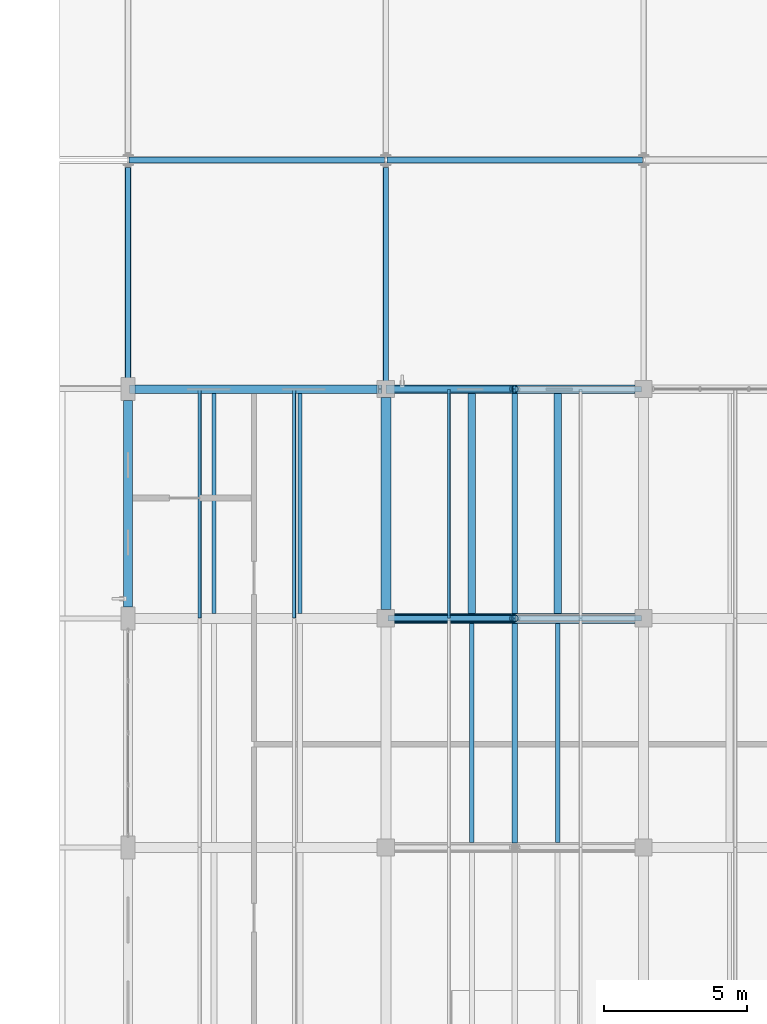
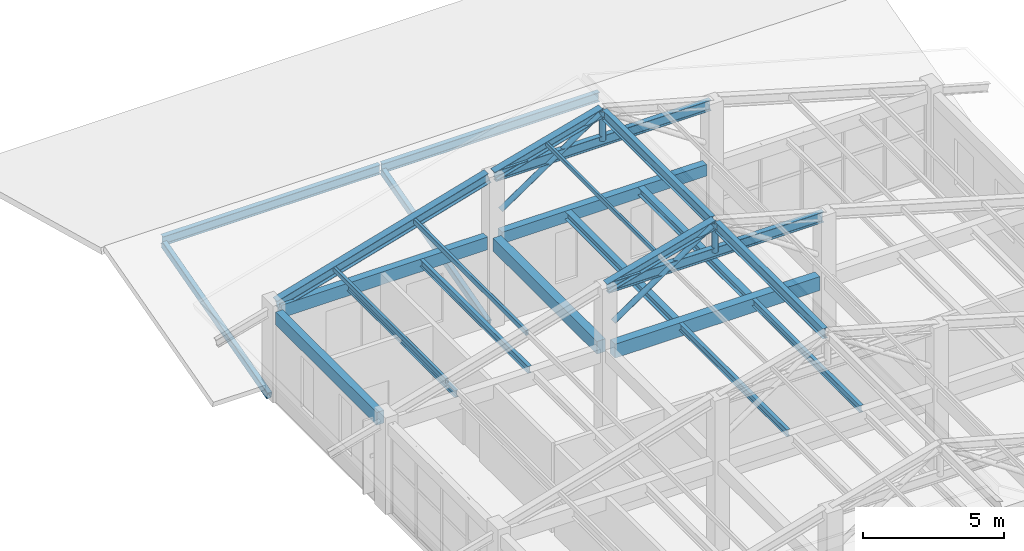
# One storey, part 26 of 58: 18 beams, 11 members.
"""IFC4 building model written with IfcOpenShell, lengths in metres."""

from ifc_helpers import new_model, si_unit, derived_unit, direction, frame, origin, origin_2d, place, context, subcontext, project, spatial, rectangle, hollow_rectangle, hollow_circle, i_section, extrude, material, material_profile, profile_set, type_object, element, save


model = new_model("IFC4")

# Units and contexts
model_context = context("Model", 3, precision=1e-05, world=origin(), true_north=direction((0.0, 1.0)))
body_context = subcontext(model_context, "Body", "Model", "MODEL_VIEW")
ifc_project = project(units=[si_unit("LENGTHUNIT", "METRE"), si_unit("AREAUNIT", "SQUARE_METRE"), si_unit("VOLUMEUNIT", "CUBIC_METRE"), si_unit("PLANEANGLEUNIT", "RADIAN"), si_unit("MASSUNIT", "GRAM", prefix="KILO"), derived_unit("THERMALTRANSMITTANCEUNIT", [(si_unit("MASSUNIT", "GRAM", prefix="KILO"), 1), (si_unit("TIMEUNIT", "SECOND"), -3), (si_unit("THERMODYNAMICTEMPERATUREUNIT", "KELVIN"), -1)])], contexts=[model_context])

# Site, building, storey
site_placement = place(None, origin())
site = spatial("IfcSite", under=ifc_project, at=site_placement, CompositionType="ELEMENT")
building_placement = place(site_placement, origin())
building = spatial("IfcBuilding", under=site, at=building_placement, Name="Zhenchuan Archway Interchange", CompositionType="ELEMENT")
storey_placement = place(building_placement, frame((0.0, 0.0, 22.800048828125)))
storey = spatial("IfcBuildingStorey", under=building, at=storey_placement, Name="L05", CompositionType="ELEMENT", Elevation=22.800048828125)

# Beams
ifc_material_1 = material(Name="Concrete C40", Category="concrete")
ifc_material_profile_1 = material_profile(ifc_material_1, rectangle(XDim=0.35009765625, YDim=0.550048828125, at=origin_2d()), Name="RC 350x550")
ifc_profile_set_1 = profile_set([ifc_material_profile_1], Name="Concrete C40")
beam_type_1 = type_object("IfcBeamType", Name="BM_RC_350x550", PredefinedType="BEAM", material=ifc_profile_set_1)
beam_1_placement = place(storey_placement, frame((153.0, 80.300048828125, 3.64501953125), z_axis=(0.0, 1.0, 0.0), x_axis=(-1.0, 0.0, 0.0)))
element("IfcBeam", 1, at=beam_1_placement, inside=storey, type_object=beam_type_1, Name="Beam 18:L-M (L05)", PredefinedType="BEAM", context=body_context, shape_type="SweptSolid", body=[
    extrude(rectangle(XDim=0.35009765625, YDim=0.550048828125, at=origin_2d()), origin(), (0.0, 0.0, 1.0), 7.39990234375),
])
ifc_material_profile_2 = material_profile(ifc_material_1, rectangle(XDim=0.35009765625, YDim=0.60009765625, at=origin_2d()), Name="RC 350x600")
ifc_profile_set_2 = profile_set([ifc_material_profile_2], Name="Concrete C40")
beam_type_2 = type_object("IfcBeamType", Name="BM_RC_350x600", PredefinedType="BEAM", material=ifc_profile_set_2)
beam_2_placement = place(storey_placement, frame((153.300048828125, 80.0, 3.619873046875), z_axis=(1.0, 0.0, 0.0), x_axis=(0.0, 1.0, 0.0)))
element("IfcBeam", 2, at=beam_2_placement, inside=storey, type_object=beam_type_2, Name="Beam L:18-19 (L05)", PredefinedType="BEAM", context=body_context, shape_type="SweptSolid", body=[
    extrude(rectangle(XDim=0.35009765625, YDim=0.60009765625, at=origin_2d()), origin(), (0.0, 0.0, 1.0), 8.39990234375),
])
ifc_material_2 = material(Name="Steel Q355", Category="steel")
ifc_material_profile_3 = material_profile(ifc_material_2, i_section(OverallWidth=0.199951171875, OverallDepth=0.39990234375, WebThickness=0.008056640625, FlangeThickness=0.012939453125, FilletRadius=0.01611328125, at=origin_2d()), Name="HN 400x200")
ifc_profile_set_3 = profile_set([ifc_material_profile_3], Name="Steel Q355")
beam_type_3 = type_object("IfcBeamType", Name="BM_STL_GABLE_HN400", PredefinedType="BEAM", material=ifc_profile_set_3)
for number, where, z_axis, x_axis, name in (
    (3, (144.0400390625, 96.0, 1.8798828125), (1.0, 0.0, 0.0), (0.0, 1.0, 0.0), "East bar N ridge beam 1"),
    (4, (153.0400390625, 96.0, 1.8798828125), (1.0, 0.0, 0.0), (0.0, 1.0, 0.0), "East bar N ridge beam 2"),
):
    element("IfcBeam", number, at=place(storey_placement, frame(where, z_axis=z_axis, x_axis=x_axis)), inside=storey, type_object=beam_type_3, Name=name, PredefinedType="BEAM", context=body_context, shape_type="SweptSolid", body=[
        extrude(i_section(OverallWidth=0.199951171875, OverallDepth=0.39990234375, WebThickness=0.008056640625, FlangeThickness=0.012939453125, FilletRadius=0.01611328125, at=origin_2d()), origin(), (0.0, 0.0, 1.0), 8.919921875),
    ])
ifc_material_profile_4 = material_profile(ifc_material_2, i_section(OverallWidth=0.300048828125, OverallDepth=0.389892578125, WebThickness=0.010009765625, FlangeThickness=0.01611328125, FilletRadius=0.02001953125, at=origin_2d()), Name="HM 390x300")
ifc_profile_set_4 = profile_set([ifc_material_profile_4], Name="Steel Q355")
beam_type_4 = type_object("IfcBeamType", Name="BM_STL_HM390", PredefinedType="BEAM", material=ifc_profile_set_4)
for number, where, z_axis, x_axis, name in (
    (5, (153.050048828125, 80.0, 6.419921875), (0.964108539649, 0.0, 0.265508425055), (0.0, 1.0, 0.0), "ROOF TRUSS command wing T8 west apex rafter"),
    (6, (153.050048828125, 88.0, 6.419921875), (0.964108539649, 0.0, 0.265508425055), (0.0, 1.0, 0.0), "ROOF TRUSS command wing T9 west apex rafter"),
):
    element("IfcBeam", number, at=place(storey_placement, frame(where, z_axis=z_axis, x_axis=x_axis)), inside=storey, type_object=beam_type_4, Name=name, PredefinedType="BEAM", context=body_context, shape_type="SweptSolid", body=[
        extrude(i_section(OverallWidth=0.300048828125, OverallDepth=0.389892578125, WebThickness=0.010009765625, FlangeThickness=0.01611328125, FilletRadius=0.02001953125, at=origin_2d()), origin(), (0.0, 0.0, 1.0), 4.5947265625),
    ])
ifc_material_profile_5 = material_profile(ifc_material_2, i_section(OverallWidth=0.300048828125, OverallDepth=0.43994140625, WebThickness=0.010986328125, FlangeThickness=0.01806640625, FilletRadius=0.02197265625, at=origin_2d()), Name="HM 440x300")
ifc_profile_set_5 = profile_set([ifc_material_profile_5], Name="Steel Q355")
beam_type_5 = type_object("IfcBeamType", Name="BM_STL_HM440", PredefinedType="BEAM", material=ifc_profile_set_5)
beam_3_placement = place(storey_placement, frame((144.1201171875, 88.0, 3.93994140625), z_axis=(0.960641143949, 0.0, 0.277792355102), x_axis=(0.0, 1.0, 0.0)))
element("IfcBeam", 7, at=beam_3_placement, inside=storey, type_object=beam_type_5, Name="ROOF TRUSS command wing T9 west lower rafter", PredefinedType="BEAM", context=body_context, shape_type="SweptSolid", body=[
    extrude(i_section(OverallWidth=0.300048828125, OverallDepth=0.43994140625, WebThickness=0.010986328125, FlangeThickness=0.01806640625, FilletRadius=0.02197265625, at=origin_2d()), origin(), (0.0, 0.0, 1.0), 9.03564453125),
])
ifc_material_profile_6 = material_profile(ifc_material_2, i_section(OverallWidth=0.199951171875, OverallDepth=0.449951171875, WebThickness=0.009033203125, FlangeThickness=0.013916015625, FilletRadius=0.01806640625, at=origin_2d()), Name="HN 450x200")
ifc_profile_set_6 = profile_set([ifc_material_profile_6], Name="Steel Q355")
beam_type_6 = type_object("IfcBeamType", Name="BM_STL_HN450", PredefinedType="BEAM", material=ifc_profile_set_6)
for number, where, z_axis, x_axis, name in (
    (8, (157.5, 72.159912109375, 7.579833984375), (0.0, 1.0, 0.0), (-1.0, 0.0, 0.0), "Command wing ridge girder 7"),
    (9, (157.5, 80.159912109375, 7.579833984375), (0.0, 1.0, 0.0), (-1.0, 0.0, 0.0), "Command wing ridge girder 8"),
):
    element("IfcBeam", number, at=place(storey_placement, frame(where, z_axis=z_axis, x_axis=x_axis)), inside=storey, type_object=beam_type_6, Name=name, PredefinedType="BEAM", context=body_context, shape_type="SweptSolid", body=[
        extrude(i_section(OverallWidth=0.199951171875, OverallDepth=0.449951171875, WebThickness=0.009033203125, FlangeThickness=0.013916015625, FilletRadius=0.01806640625, at=origin_2d()), origin(), (0.0, 0.0, 1.0), 7.68017578125),
    ])
ifc_material_profile_7 = material_profile(ifc_material_2, i_section(OverallWidth=0.25, OverallDepth=0.340087890625, WebThickness=0.009033203125, FlangeThickness=0.013916015625, FilletRadius=0.01806640625, at=origin_2d()), Name="HM 340x250")
ifc_profile_set_7 = profile_set([ifc_material_profile_7], Name="Steel Q355")
beam_type_7 = type_object("IfcBeamType", Name="JST_STL_HM340", PredefinedType="JOIST", material=ifc_profile_set_7)
for number, where, z_axis, x_axis, name in (
    (10, (156.0, 80.175048828125, 3.75), (0.0, 1.0, 0.0), (-1.0, 0.0, 0.0), "Secondary joist 18-19/L-M #1 (L05)"),
    (11, (159.0, 80.175048828125, 3.75), (0.0, 1.0, 0.0), (-1.0, 0.0, 0.0), "Secondary joist 18-19/L-M #2 (L05)"),
):
    element("IfcBeam", number, at=place(storey_placement, frame(where, z_axis=z_axis, x_axis=x_axis)), inside=storey, type_object=beam_type_7, Name=name, PredefinedType="JOIST", context=body_context, shape_type="SweptSolid", body=[
        extrude(i_section(OverallWidth=0.25, OverallDepth=0.340087890625, WebThickness=0.009033203125, FlangeThickness=0.013916015625, FilletRadius=0.01806640625, at=origin_2d()), origin(), (0.0, 0.0, 1.0), 7.675048828125),
    ])
ifc_material_profile_8 = material_profile(ifc_material_2, i_section(OverallWidth=0.14990234375, OverallDepth=0.300048828125, WebThickness=0.006591796875, FlangeThickness=0.009033203125, FilletRadius=0.012939453125, at=origin_2d()), Name="HN 300x150")
ifc_profile_set_8 = profile_set([ifc_material_profile_8], Name="Steel Q355")
beam_type_8 = type_object("IfcBeamType", Name="JST_STL_HN300", PredefinedType="JOIST", material=ifc_profile_set_8)
for number, where, z_axis, x_axis, name in (
    (12, (147.0, 80.175048828125, 3.77001953125), (0.0, 1.0, 0.0), (-1.0, 0.0, 0.0), "Secondary joist 17-18/L-M #1 (L05)"),
    (13, (150.0, 80.175048828125, 3.77001953125), (0.0, 1.0, 0.0), (-1.0, 0.0, 0.0), "Secondary joist 17-18/L-M #2 (L05)"),
):
    element("IfcBeam", number, at=place(storey_placement, frame(where, z_axis=z_axis, x_axis=x_axis)), inside=storey, type_object=beam_type_8, Name=name, PredefinedType="JOIST", context=body_context, shape_type="SweptSolid", body=[
        extrude(i_section(OverallWidth=0.14990234375, OverallDepth=0.300048828125, WebThickness=0.006591796875, FlangeThickness=0.009033203125, FilletRadius=0.012939453125, at=origin_2d()), origin(), (0.0, 0.0, 1.0), 7.675048828125),
    ])
for number, where, z_axis, x_axis, name in (
    (14, (156.0, 72.175048828125, 3.77001953125), (0.0, 1.0, 0.0), (-1.0, 0.0, 0.0), "Secondary joist 18-19/K-L #1 (L05)"),
    (15, (159.0, 72.175048828125, 3.77001953125), (0.0, 1.0, 0.0), (-1.0, 0.0, 0.0), "Secondary joist 18-19/K-L #2 (L05)"),
):
    element("IfcBeam", number, at=place(storey_placement, frame(where, z_axis=z_axis, x_axis=x_axis)), inside=storey, type_object=beam_type_8, Name=name, PredefinedType="JOIST", context=body_context, shape_type="SweptSolid", body=[
        extrude(i_section(OverallWidth=0.14990234375, OverallDepth=0.300048828125, WebThickness=0.006591796875, FlangeThickness=0.009033203125, FilletRadius=0.012939453125, at=origin_2d()), origin(), (0.0, 0.0, 1.0), 7.64990234375),
    ])

# Members
ifc_material_profile_9 = material_profile(ifc_material_2, i_section(OverallWidth=0.199951171875, OverallDepth=0.449951171875, WebThickness=0.009033203125, FlangeThickness=0.013916015625, FilletRadius=0.01806640625, at=origin_2d()), Name="HN 450x200")
ifc_profile_set_9 = profile_set([ifc_material_profile_9], Name="Steel Q355")
member_type_1 = type_object("IfcMemberType", Name="MB_CHD_HN450", PredefinedType="CHORD", material=ifc_profile_set_9)
for number, where, z_axis, x_axis, name in (
    (16, (153.080078125, 80.0, 6.3798828125), (1.0, 0.0, 0.0), (0.0, 1.0, 0.0), "ROOF TRUSS command wing T8 ridge collar tie"),
    (17, (153.080078125, 88.0, 6.3798828125), (1.0, 0.0, 0.0), (0.0, 1.0, 0.0), "ROOF TRUSS command wing T9 ridge collar tie"),
):
    element("IfcMember", number, at=place(storey_placement, frame(where, z_axis=z_axis, x_axis=x_axis)), inside=storey, type_object=member_type_1, Name=name, PredefinedType="CHORD", context=body_context, shape_type="SweptSolid", body=[
        extrude(i_section(OverallWidth=0.199951171875, OverallDepth=0.449951171875, WebThickness=0.009033203125, FlangeThickness=0.013916015625, FilletRadius=0.01806640625, at=origin_2d()), origin(), (0.0, 0.0, 1.0), 8.83984375),
    ])
ifc_material_profile_10 = material_profile(ifc_material_2, hollow_circle(Radius=0.109619140625, WallThickness=0.008056640625, at=origin_2d()), Name="CHS 219x8")
ifc_profile_set_10 = profile_set([ifc_material_profile_10], Name="Steel Q355")
member_type_2 = type_object("IfcMemberType", Name="MB_CHS219", PredefinedType="BRACE", material=ifc_profile_set_10)
for number, where, z_axis, x_axis, name in (
    (18, (153.320068359375, 80.0, 4.800048828125), (0.827937334182, 0.0, 0.560820622541), (0.0, 1.0, 0.0), "ROOF TRUSS command wing T8 west apex diagonal"),
    (19, (153.320068359375, 88.0, 4.800048828125), (0.827937334182, 0.0, 0.560820622541), (0.0, 1.0, 0.0), "ROOF TRUSS command wing T9 west apex diagonal"),
):
    element("IfcMember", number, at=place(storey_placement, frame(where, z_axis=z_axis, x_axis=x_axis)), inside=storey, type_object=member_type_2, Name=name, PredefinedType="BRACE", context=body_context, shape_type="SweptSolid", body=[
        extrude(hollow_circle(Radius=0.109619140625, WallThickness=0.008056640625, at=origin_2d()), origin(), (0.0, 0.0, 1.0), 4.903564453125),
    ])
ifc_material_profile_11 = material_profile(ifc_material_2, hollow_circle(Radius=0.12255859375, WallThickness=0.010009765625, at=origin_2d()), Name="CHS 245x10")
ifc_profile_set_11 = profile_set([ifc_material_profile_11], Name="Steel Q355")
member_type_3 = type_object("IfcMemberType", Name="MB_CHS245", PredefinedType="BRACE", material=ifc_profile_set_11)
for number, where, z_axis, x_axis, name in (
    (20, (157.5, 80.0, 6.3798828125), (0.0, 0.0, 1.0), (1.0, 0.0, 0.0), "ROOF TRUSS command wing T8 apex king-post"),
    (21, (157.5, 88.0, 6.3798828125), (0.0, 0.0, 1.0), (1.0, 0.0, 0.0), "ROOF TRUSS command wing T9 apex king-post"),
):
    element("IfcMember", number, at=place(storey_placement, frame(where, z_axis=z_axis, x_axis=x_axis)), inside=storey, type_object=member_type_3, Name=name, PredefinedType="BRACE", context=body_context, shape_type="SweptSolid", body=[
        extrude(hollow_circle(Radius=0.12255859375, WallThickness=0.010009765625, at=origin_2d()), origin(), (0.0, 0.0, 1.0), 1.280029296875),
    ])
ifc_material_profile_12 = material_profile(ifc_material_2, hollow_rectangle(XDim=0.10009765625, YDim=0.179931640625, WallThickness=0.006103515625, InnerFilletRadius=0.006103515625, OuterFilletRadius=0.011962890625, at=origin_2d()), Name="RHS 180x100x6")
ifc_profile_set_12 = profile_set([ifc_material_profile_12], Name="Steel Q355")
member_type_4 = type_object("IfcMemberType", Name="MB_RHS180", PredefinedType="PURLIN", material=ifc_profile_set_12)
member_1_placement = place(storey_placement, frame((155.199951171875, 80.008056640625, 7.02001953125), z_axis=(0.0, 1.0, 0.0), x_axis=(-1.0, 0.0, 0.0)))
element("IfcMember", 22, at=member_1_placement, inside=storey, type_object=member_type_4, Name="Command wing roof purlin B8-P3", PredefinedType="PURLIN", context=body_context, shape_type="SweptSolid", body=[
    extrude(hollow_rectangle(XDim=0.10009765625, YDim=0.179931640625, WallThickness=0.006103515625, InnerFilletRadius=0.006103515625, OuterFilletRadius=0.011962890625, at=origin_2d()), origin(), (0.0, 0.0, 1.0), 7.98388671875),
])
ifc_material_profile_13 = material_profile(ifc_material_2, hollow_rectangle(XDim=0.1201171875, YDim=0.199951171875, WallThickness=0.008056640625, InnerFilletRadius=0.008056640625, OuterFilletRadius=0.01611328125, at=origin_2d()), Name="RHS 200x120x8")
ifc_profile_set_13 = profile_set([ifc_material_profile_13], Name="Steel Q355")
member_type_5 = type_object("IfcMemberType", Name="MB_RHS200", PredefinedType="PURLIN", material=ifc_profile_set_13)
member_2_placement = place(storey_placement, frame((146.5, 80.008056640625, 4.619873046875), z_axis=(0.0, 1.0, 0.0), x_axis=(-1.0, 0.0, 0.0)))
element("IfcMember", 23, at=member_2_placement, inside=storey, type_object=member_type_5, Name="Command wing roof purlin B8-P1", PredefinedType="PURLIN", context=body_context, shape_type="SweptSolid", body=[
    extrude(hollow_rectangle(XDim=0.1201171875, YDim=0.199951171875, WallThickness=0.008056640625, InnerFilletRadius=0.008056640625, OuterFilletRadius=0.01611328125, at=origin_2d()), origin(), (0.0, 0.0, 1.0), 7.98388671875),
])
ifc_material_profile_14 = material_profile(ifc_material_2, hollow_rectangle(XDim=0.1201171875, YDim=0.219970703125, WallThickness=0.008056640625, InnerFilletRadius=0.008056640625, OuterFilletRadius=0.01611328125, at=origin_2d()), Name="RHS 220x120x8")
ifc_profile_set_14 = profile_set([ifc_material_profile_14], Name="Steel Q355")
member_type_6 = type_object("IfcMemberType", Name="MB_RHS220", PredefinedType="PURLIN", material=ifc_profile_set_14)
member_3_placement = place(storey_placement, frame((149.800048828125, 80.008056640625, 5.5400390625), z_axis=(0.0, 1.0, 0.0), x_axis=(-1.0, 0.0, 0.0)))
element("IfcMember", 24, at=member_3_placement, inside=storey, type_object=member_type_6, Name="Command wing roof purlin B8-P2", PredefinedType="PURLIN", context=body_context, shape_type="SweptSolid", body=[
    extrude(hollow_rectangle(XDim=0.1201171875, YDim=0.219970703125, WallThickness=0.008056640625, InnerFilletRadius=0.008056640625, OuterFilletRadius=0.01611328125, at=origin_2d()), origin(), (0.0, 0.0, 1.0), 7.98388671875),
])
ifc_material_profile_15 = material_profile(ifc_material_2, hollow_rectangle(XDim=0.199951171875, YDim=0.300048828125, WallThickness=0.010009765625, InnerFilletRadius=0.010009765625, OuterFilletRadius=0.02001953125, at=origin_2d()), Name="RHS 300x200x10")
ifc_profile_set_15 = profile_set([ifc_material_profile_15], Name="Steel Q355")
member_type_7 = type_object("IfcMemberType", Name="MB_RHS300", PredefinedType="CHORD", material=ifc_profile_set_15)
for number, where, z_axis, x_axis, name in (
    (25, (144.0, 88.300048828125, -0.179931640625), (0.0, 0.964770361033, 0.263093425368), (-1.0, 0.0, 0.0), "East bar N rafter X144-1"),
    (26, (153.0, 88.300048828125, -0.179931640625), (0.0, 0.964770361033, 0.263093425368), (-1.0, 0.0, 0.0), "East bar N rafter X153-1"),
):
    element("IfcMember", number, at=place(storey_placement, frame(where, z_axis=z_axis, x_axis=x_axis)), inside=storey, type_object=member_type_7, Name=name, PredefinedType="CHORD", context=body_context, shape_type="SweptSolid", body=[
        extrude(hollow_rectangle(XDim=0.199951171875, YDim=0.300048828125, WallThickness=0.010009765625, InnerFilletRadius=0.010009765625, OuterFilletRadius=0.02001953125, at=origin_2d()), origin(), (0.0, 0.0, 1.0), 7.753173828125),
    ])

# Beams
ifc_material_profile_16 = material_profile(ifc_material_1, rectangle(XDim=0.300048828125, YDim=0.5, at=origin_2d()), Name="RC 300x500")
ifc_profile_set_16 = profile_set([ifc_material_profile_16], Name="Concrete C40")
beam_type_9 = type_object("IfcBeamType", Name="SP_RC_300x500", PredefinedType="SPANDREL", material=ifc_profile_set_16)
beam_4_placement = place(storey_placement, frame((153.300048828125, 88.0, 3.669921875), z_axis=(1.0, 0.0, 0.0), x_axis=(0.0, 1.0, 0.0)))
element("IfcBeam", 27, at=beam_4_placement, inside=storey, type_object=beam_type_9, Name="Beam M:18-19 (L05)", PredefinedType="SPANDREL", context=body_context, shape_type="SweptSolid", body=[
    extrude(rectangle(XDim=0.300048828125, YDim=0.5, at=origin_2d()), origin(), (0.0, 0.0, 1.0), 8.39990234375),
])
ifc_material_profile_17 = material_profile(ifc_material_1, rectangle(XDim=0.300048828125, YDim=0.550048828125, at=origin_2d()), Name="RC 300x550")
ifc_profile_set_17 = profile_set([ifc_material_profile_17], Name="Concrete C40")
beam_type_10 = type_object("IfcBeamType", Name="SP_RC_300x550", PredefinedType="SPANDREL", material=ifc_profile_set_17)
beam_5_placement = place(storey_placement, frame((144.25, 88.0, 3.64501953125), z_axis=(1.0, 0.0, 0.0), x_axis=(0.0, 1.0, 0.0)))
element("IfcBeam", 28, at=beam_5_placement, inside=storey, type_object=beam_type_10, Name="Beam M:17-18 (L05)", PredefinedType="SPANDREL", context=body_context, shape_type="SweptSolid", body=[
    extrude(rectangle(XDim=0.300048828125, YDim=0.550048828125, at=origin_2d()), origin(), (0.0, 0.0, 1.0), 8.449951171875),
])
beam_6_placement = place(storey_placement, frame((144.0, 80.39990234375, 3.64501953125), z_axis=(0.0, 1.0, 0.0), x_axis=(-1.0, 0.0, 0.0)))
element("IfcBeam", 29, at=beam_6_placement, inside=storey, type_object=beam_type_10, Name="Beam 17:L-M (L05)", PredefinedType="SPANDREL", context=body_context, shape_type="SweptSolid", body=[
    extrude(rectangle(XDim=0.300048828125, YDim=0.550048828125, at=origin_2d()), origin(), (0.0, 0.0, 1.0), 7.2001953125),
])

save(model, "model.ifc")
